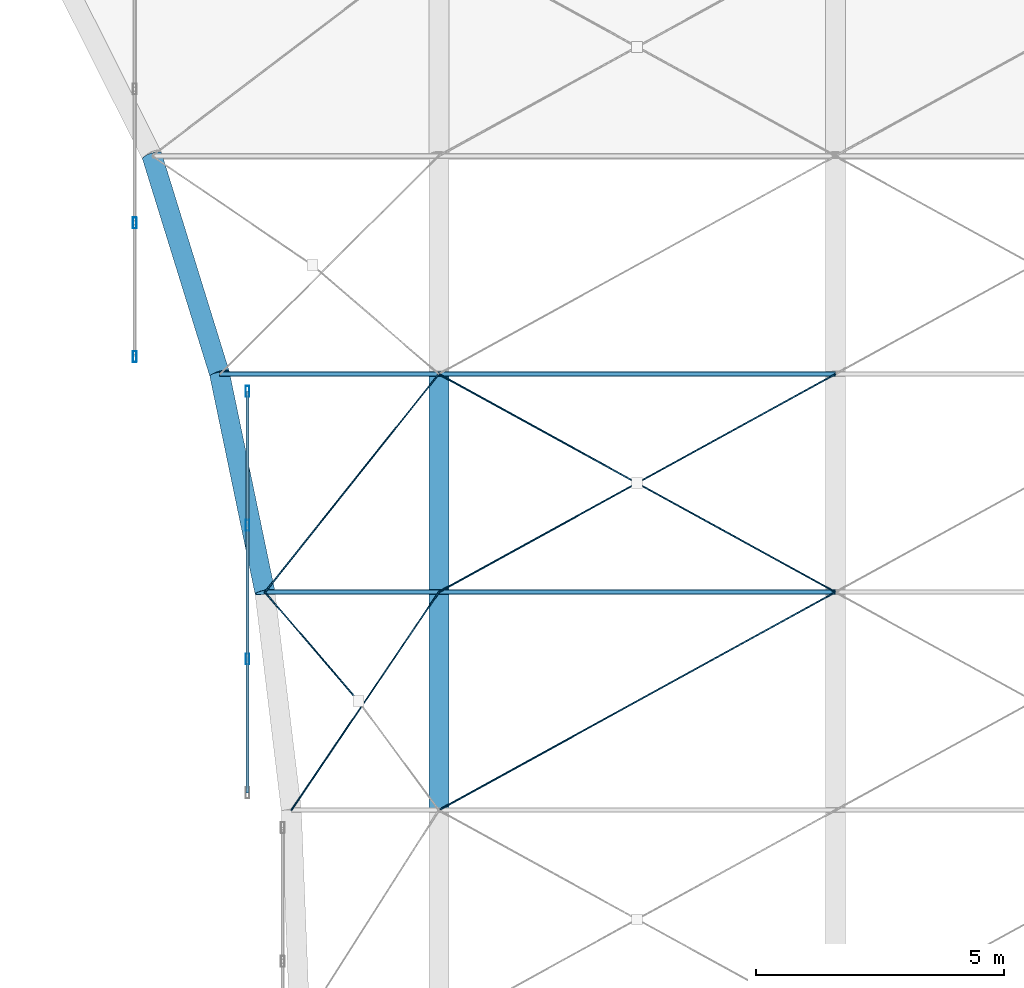
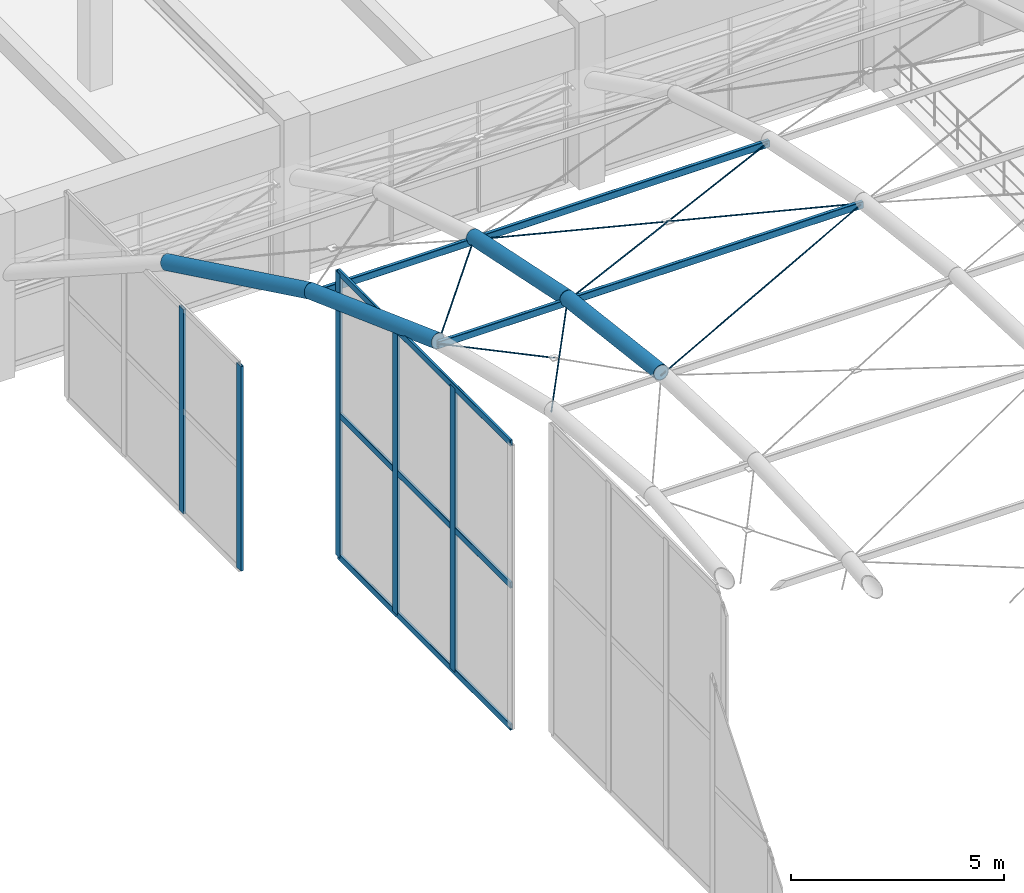
# One storey, part 31 of 144: 15 members, 8 beams, 2 elements without a shape of their own.
"""IFC4 building model written with IfcOpenShell, lengths in metres."""

from ifc_helpers import new_model, si_unit, direction, frame, origin, origin_2d, place, context, subcontext, project, spatial, hollow_rectangle, circle, hollow_circle, extrude, material, material_profile, profile_set, type_object, element, aggregate, save


model = new_model("IFC4")

# Units and contexts
model_context = context("Model", 3, precision=1e-05, world=origin(), true_north=direction((0.0, 1.0)))
body_context = subcontext(model_context, "Body", "Model", "MODEL_VIEW")
ifc_project = project(units=[si_unit("LENGTHUNIT", "METRE"), si_unit("AREAUNIT", "SQUARE_METRE"), si_unit("VOLUMEUNIT", "CUBIC_METRE"), si_unit("PLANEANGLEUNIT", "RADIAN"), si_unit("MASSUNIT", "GRAM", prefix="KILO")], contexts=[model_context])

# Site, building, storey
site_placement = place(None, origin())
site = spatial("IfcSite", under=ifc_project, at=site_placement, CompositionType="ELEMENT")
building_placement = place(site_placement, origin())
building = spatial("IfcBuilding", under=site, at=building_placement, Name="Varnabhumi Central Station", CompositionType="ELEMENT")
storey_placement = place(building_placement, frame((0.0, 0.0, 4.800048828125)))
storey = spatial("IfcBuildingStorey", under=building, at=storey_placement, Name="L01", CompositionType="ELEMENT", Elevation=4.800048828125)

# Beams
ifc_material_1 = material(Name="Structural steel E350", Category="steel")
ifc_material_profile_1 = material_profile(ifc_material_1, hollow_circle(Radius=0.203125, WallThickness=0.01611328125, at=origin_2d()), Name="Structural steel E350", Category="steel")
ifc_profile_set_1 = profile_set([ifc_material_profile_1], Name="Structural steel E350")
beam_type_1 = type_object("IfcBeamType", Name="BM-ARCH-CHS406", PredefinedType="BEAM", material=ifc_profile_set_1)
beam_1_placement = place(storey_placement, frame((4.491455078125, 66.800048828125, 7.291259765625), z_axis=(-0.199321704264, 0.95944865231, -0.199321704264), x_axis=(-0.979095067091, -0.20340317008, 0.0)))
element("IfcBeam", 1, at=beam_1_placement, inside=storey, type_object=beam_type_1, Name="Forecourt Arrival Canopy Vault Arch Rib 1 Seg 8", PredefinedType="BEAM", context=body_context, shape_type="SweptSolid", body=[
    extrude(hollow_circle(Radius=0.203125, WallThickness=0.01611328125, at=origin_2d()), origin(), (0.0, 0.0, 1.0), 4.5859375),
])
beam_2_placement = place(storey_placement, frame((3.577392578125, 71.199951171875, 6.377197265625), z_axis=(-0.283827510575, 0.915921794645, -0.283776690967), x_axis=(-0.95518924728, -0.295995780173, 0.0)))
element("IfcBeam", 2, at=beam_2_placement, inside=storey, type_object=beam_type_1, Name="Forecourt Arrival Canopy Vault Arch Rib 1 Seg 9", PredefinedType="BEAM", context=body_context, shape_type="SweptSolid", body=[
    extrude(hollow_circle(Radius=0.203125, WallThickness=0.01611328125, at=origin_2d()), origin(), (0.0, 0.0, 1.0), 4.803955078125),
])
beam_3_placement = place(storey_placement, frame((8.0, 62.39990234375, 7.824462890625), z_axis=(0.0, 0.992737769305, -0.120298467967), x_axis=(-1.0, 0.0, 0.0)))
element("IfcBeam", 3, at=beam_3_placement, inside=storey, type_object=beam_type_1, Name="Forecourt Arrival Canopy Vault Arch Rib 2 Seg 7", PredefinedType="BEAM", context=body_context, shape_type="SweptSolid", body=[
    extrude(hollow_circle(Radius=0.203125, WallThickness=0.01611328125, at=origin_2d()), origin(), (0.0, 0.0, 1.0), 4.432373046875),
])
beam_4_placement = place(storey_placement, frame((8.0, 66.800048828125, 7.291259765625), z_axis=(0.0, 0.979095067091, -0.20340317008), x_axis=(-1.0, 0.0, 0.0)))
element("IfcBeam", 4, at=beam_4_placement, inside=storey, type_object=beam_type_1, Name="Forecourt Arrival Canopy Vault Arch Rib 2 Seg 8", PredefinedType="BEAM", context=body_context, shape_type="SweptSolid", body=[
    extrude(hollow_circle(Radius=0.203125, WallThickness=0.01611328125, at=origin_2d()), origin(), (0.0, 0.0, 1.0), 4.493896484375),
])
ifc_material_profile_2 = material_profile(ifc_material_1, hollow_rectangle(XDim=0.10009765625, YDim=0.199951171875, WallThickness=0.008056640625, InnerFilletRadius=0.008056640625, OuterFilletRadius=0.01611328125, at=origin_2d()), Name="Structural steel E350", Category="steel")
ifc_profile_set_2 = profile_set([ifc_material_profile_2], Name="Structural steel E350")
beam_type_2 = type_object("IfcBeamType", Name="BM-PUR-RHS200", PredefinedType="JOIST", material=ifc_profile_set_2)
beam_5_placement = place(storey_placement, frame((4.491455078125, 66.800048828125, 7.19140625), z_axis=(1.0, 0.0, 0.0), x_axis=(0.0, 1.0, 0.0)))
element("IfcBeam", 5, at=beam_5_placement, inside=storey, type_object=beam_type_2, Name="Forecourt Arrival Canopy Vault Purlin B1-L7", PredefinedType="JOIST", context=body_context, shape_type="SweptSolid", body=[
    extrude(hollow_rectangle(XDim=0.10009765625, YDim=0.199951171875, WallThickness=0.008056640625, InnerFilletRadius=0.008056640625, OuterFilletRadius=0.01611328125, at=origin_2d()), origin(), (0.0, 0.0, 1.0), 3.508544921875),
])
beam_6_placement = place(storey_placement, frame((3.577392578125, 71.199951171875, 6.27734375), z_axis=(1.0, 0.0, 0.0), x_axis=(0.0, 1.0, 0.0)))
element("IfcBeam", 6, at=beam_6_placement, inside=storey, type_object=beam_type_2, Name="Forecourt Arrival Canopy Vault Purlin B1-L8", PredefinedType="JOIST", context=body_context, shape_type="SweptSolid", body=[
    extrude(hollow_rectangle(XDim=0.10009765625, YDim=0.199951171875, WallThickness=0.008056640625, InnerFilletRadius=0.008056640625, OuterFilletRadius=0.01611328125, at=origin_2d()), origin(), (0.0, 0.0, 1.0), 4.422607421875),
])
for number, where, z_axis, x_axis, name in (
    (7, (8.0, 66.800048828125, 7.19140625), (1.0, 0.0, 0.0), (0.0, 1.0, 0.0), "Forecourt Arrival Canopy Vault Purlin B2-L7"),
    (8, (8.0, 71.199951171875, 6.27734375), (1.0, 0.0, 0.0), (0.0, 1.0, 0.0), "Forecourt Arrival Canopy Vault Purlin B2-L8"),
):
    element("IfcBeam", number, at=place(storey_placement, frame(where, z_axis=z_axis, x_axis=x_axis)), inside=storey, type_object=beam_type_2, Name=name, PredefinedType="JOIST", context=body_context, shape_type="SweptSolid", body=[
        extrude(hollow_rectangle(XDim=0.10009765625, YDim=0.199951171875, WallThickness=0.008056640625, InnerFilletRadius=0.008056640625, OuterFilletRadius=0.01611328125, at=origin_2d()), origin(), (0.0, 0.0, 1.0), 8.0),
    ])

# Curtain wall, members
ifc_material_2 = material(Name="Anodised aluminium 6063-T6", Category="aluminium")
curtain_wall_type = type_object("IfcCurtainWallType", Name="CW-VAULT-ARCH-V1", PredefinedType="NOTDEFINED", material=ifc_material_2)
curtain_wall_1_placement = place(storey_placement, origin())
curtain_wall_1 = element("IfcCurtainWall", 9, at=curtain_wall_1_placement, inside=storey, type_object=curtain_wall_type, Name="Curtain Wall CW-V14", PredefinedType="NOTDEFINED")
ifc_material_profile_3 = material_profile(ifc_material_2, hollow_rectangle(XDim=0.074951171875, YDim=0.219970703125, WallThickness=0.0048828125, InnerFilletRadius=0.0009765625, OuterFilletRadius=0.006103515625, at=origin_2d()), Name="Anodised aluminium 6063-T6", Category="aluminium")
ifc_profile_set_3 = profile_set([ifc_material_profile_3], Name="Anodised aluminium 6063-T6")
member_type_1 = type_object("IfcMemberType", Name="CW-MUL-220", PredefinedType="MULLION", material=ifc_profile_set_3)
member_1_placement = place(storey_placement, frame((4.14111328125, 65.449951171875, -1.199951171875), z_axis=(0.0, 0.0, 1.0), x_axis=(1.0, 0.0, 0.0)))
member_1 = element("IfcMember", 10, at=member_1_placement, type_object=member_type_1, Name="Curtain Wall Mullion CW-V14-M2", PredefinedType="MULLION", context=body_context, shape_type="SweptSolid", body=[
    extrude(hollow_rectangle(XDim=0.074951171875, YDim=0.219970703125, WallThickness=0.0048828125, InnerFilletRadius=0.0009765625, OuterFilletRadius=0.006103515625, at=origin_2d()), origin(), (0.0, 0.0, 1.0), 8.141357421875),
])
member_2_placement = place(storey_placement, frame((4.14111328125, 68.14990234375, -1.199951171875), z_axis=(0.0, 0.0, 1.0), x_axis=(1.0, 0.0, 0.0)))
member_2 = element("IfcMember", 11, at=member_2_placement, type_object=member_type_1, Name="Curtain Wall Mullion CW-V14-M3", PredefinedType="MULLION", context=body_context, shape_type="SweptSolid", body=[
    extrude(hollow_rectangle(XDim=0.074951171875, YDim=0.219970703125, WallThickness=0.0048828125, InnerFilletRadius=0.0009765625, OuterFilletRadius=0.006103515625, at=origin_2d()), origin(), (0.0, 0.0, 1.0), 8.141357421875),
])
member_3_placement = place(storey_placement, frame((4.14111328125, 70.85009765625, -1.199951171875), z_axis=(0.0, 0.0, 1.0), x_axis=(1.0, 0.0, 0.0)))
member_3 = element("IfcMember", 12, at=member_3_placement, type_object=member_type_1, Name="Curtain Wall Mullion CW-V14-M4", PredefinedType="MULLION", context=body_context, shape_type="SweptSolid", body=[
    extrude(hollow_rectangle(XDim=0.074951171875, YDim=0.219970703125, WallThickness=0.0048828125, InnerFilletRadius=0.0009765625, OuterFilletRadius=0.006103515625, at=origin_2d()), origin(), (0.0, 0.0, 1.0), 8.141357421875),
])

curtain_wall_2_placement = place(storey_placement, origin())
curtain_wall_2 = element("IfcCurtainWall", 13, at=curtain_wall_2_placement, inside=storey, type_object=curtain_wall_type, Name="Curtain Wall CW-V15", PredefinedType="NOTDEFINED")
member_4_placement = place(storey_placement, frame((1.864013671875, 71.550048828125, -1.199951171875), z_axis=(0.0, 0.0, 1.0), x_axis=(1.0, 0.0, 0.0)))
member_4 = element("IfcMember", 14, at=member_4_placement, type_object=member_type_1, Name="Curtain Wall Mullion CW-V15-M1", PredefinedType="MULLION", context=body_context, shape_type="SweptSolid", body=[
    extrude(hollow_rectangle(XDim=0.074951171875, YDim=0.219970703125, WallThickness=0.0048828125, InnerFilletRadius=0.0009765625, OuterFilletRadius=0.006103515625, at=origin_2d()), origin(), (0.0, 0.0, 1.0), 5.86376953125),
])
member_5_placement = place(storey_placement, frame((1.864013671875, 74.25, -1.199951171875), z_axis=(0.0, 0.0, 1.0), x_axis=(1.0, 0.0, 0.0)))
member_5 = element("IfcMember", 15, at=member_5_placement, type_object=member_type_1, Name="Curtain Wall Mullion CW-V15-M2", PredefinedType="MULLION", context=body_context, shape_type="SweptSolid", body=[
    extrude(hollow_rectangle(XDim=0.074951171875, YDim=0.219970703125, WallThickness=0.0048828125, InnerFilletRadius=0.0009765625, OuterFilletRadius=0.006103515625, at=origin_2d()), origin(), (0.0, 0.0, 1.0), 5.86376953125),
])
aggregate(curtain_wall_2, [member_4, member_5])

# Member
ifc_material_profile_4 = material_profile(ifc_material_2, hollow_rectangle(XDim=0.06494140625, YDim=0.179931640625, WallThickness=0.00390625, InnerFilletRadius=0.001953125, OuterFilletRadius=0.006103515625, at=origin_2d()), Name="Anodised aluminium 6063-T6", Category="aluminium")
ifc_profile_set_4 = profile_set([ifc_material_profile_4], Name="Anodised aluminium 6063-T6")
member_type_2 = type_object("IfcMemberType", Name="CW-TR-180", PredefinedType="USERDEFINED", material=ifc_profile_set_4)
member_6_placement = place(storey_placement, frame((4.14111328125, 62.75, -1.199951171875), z_axis=(0.0, 1.0, 0.0), x_axis=(-1.0, 0.0, 0.0)))
member_6 = element("IfcMember", 16, at=member_6_placement, type_object=member_type_2, Name="Curtain Wall Transom CW-V14-T1", ObjectType="TRANSOM", PredefinedType="USERDEFINED", context=body_context, shape_type="SweptSolid", body=[
    extrude(hollow_rectangle(XDim=0.06494140625, YDim=0.179931640625, WallThickness=0.00390625, InnerFilletRadius=0.001953125, OuterFilletRadius=0.006103515625, at=origin_2d()), origin(), (0.0, 0.0, 1.0), 8.10009765625),
])

member_7_placement = place(storey_placement, frame((4.14111328125, 62.75, 2.87060546875), z_axis=(0.0, 1.0, 0.0), x_axis=(-1.0, 0.0, 0.0)))
member_7 = element("IfcMember", 17, at=member_7_placement, type_object=member_type_2, Name="Curtain Wall Transom CW-V14-T2", ObjectType="TRANSOM", PredefinedType="USERDEFINED", context=body_context, shape_type="SweptSolid", body=[
    extrude(hollow_rectangle(XDim=0.06494140625, YDim=0.179931640625, WallThickness=0.00390625, InnerFilletRadius=0.001953125, OuterFilletRadius=0.006103515625, at=origin_2d()), origin(), (0.0, 0.0, 1.0), 8.10009765625),
])

member_8_placement = place(storey_placement, frame((4.14111328125, 62.75, 6.94140625), z_axis=(0.0, 1.0, 0.0), x_axis=(-1.0, 0.0, 0.0)))
member_8 = element("IfcMember", 18, at=member_8_placement, type_object=member_type_2, Name="Curtain Wall Transom CW-V14-T3", ObjectType="TRANSOM", PredefinedType="USERDEFINED", context=body_context, shape_type="SweptSolid", body=[
    extrude(hollow_rectangle(XDim=0.06494140625, YDim=0.179931640625, WallThickness=0.00390625, InnerFilletRadius=0.001953125, OuterFilletRadius=0.006103515625, at=origin_2d()), origin(), (0.0, 0.0, 1.0), 8.10009765625),
])

aggregate(curtain_wall_1, [member_1, member_2, member_3, member_6, member_7, member_8])

# Members
ifc_material_3 = material(Name="Spiral-strand steel S1570", Category="steel")
ifc_material_profile_5 = material_profile(ifc_material_3, circle(Radius=0.013916015625, at=origin_2d()), Name="Spiral-strand steel S1570", Category="steel")
ifc_profile_set_5 = profile_set([ifc_material_profile_5], Name="Spiral-strand steel S1570")
member_type_3 = type_object("IfcMemberType", Name="MBR-CABLE-D28", PredefinedType="USERDEFINED", material=ifc_profile_set_5)
member_9_placement = place(storey_placement, frame((5.0244140625, 62.39990234375, 7.744384765625), z_axis=(0.557383731109, 0.824230963717, -0.099833334838), x_axis=(-0.828369353295, 0.56018230472, 0.0)))
element("IfcMember", 19, at=member_9_placement, inside=storey, type_object=member_type_3, Name="Forecourt Arrival Canopy Vault Cable-Net Tie B1-P7A", ObjectType="TENSION CABLE", PredefinedType="USERDEFINED", context=body_context, shape_type="SweptSolid", body=[
    extrude(circle(Radius=0.013916015625, at=origin_2d()), origin(), (0.0, 0.0, 1.0), 5.33837890625),
])
member_10_placement = place(storey_placement, frame((4.491455078125, 66.800048828125, 7.21142578125), z_axis=(0.648413294103, -0.755769265704, 0.09150419142), x_axis=(0.758953309225, 0.651145048676, 0.0)))
element("IfcMember", 20, at=member_10_placement, inside=storey, type_object=member_type_3, Name="Forecourt Arrival Canopy Vault Cable-Net Split Tie B1-P7B1", ObjectType="TENSION CABLE", PredefinedType="USERDEFINED", context=body_context, shape_type="SweptSolid", body=[
    extrude(circle(Radius=0.013916015625, at=origin_2d()), origin(), (0.0, 0.0, 1.0), 2.910888671875),
])
member_11_placement = place(storey_placement, frame((4.491455078125, 66.800048828125, 7.21142578125), z_axis=(0.615396525938, 0.771740045262, -0.160325975444), x_axis=(-0.781854013129, 0.623461548256, 0.0)))
element("IfcMember", 21, at=member_11_placement, inside=storey, type_object=member_type_3, Name="Forecourt Arrival Canopy Vault Cable-Net Tie B1-P8A", ObjectType="TENSION CABLE", PredefinedType="USERDEFINED", context=body_context, shape_type="SweptSolid", body=[
    extrude(circle(Radius=0.013916015625, at=origin_2d()), origin(), (0.0, 0.0, 1.0), 5.701171875),
])
member_12_placement = place(storey_placement, frame((8.0, 62.39990234375, 7.744384765625), z_axis=(0.874720140327, 0.481112093784, -0.0582737447), x_axis=(-0.481931067474, 0.876209133828, 0.0)))
element("IfcMember", 22, at=member_12_placement, inside=storey, type_object=member_type_3, Name="Forecourt Arrival Canopy Vault Cable-Net Tie B2-P7A", ObjectType="TENSION CABLE", PredefinedType="USERDEFINED", context=body_context, shape_type="SweptSolid", body=[
    extrude(circle(Radius=0.013916015625, at=origin_2d()), origin(), (0.0, 0.0, 1.0), 9.145751953125),
])
member_13_placement = place(storey_placement, frame((8.0, 66.800048828125, 7.21142578125), z_axis=(0.871861974597, 0.479513443182, -0.099617042019), x_axis=(-0.481910537812, 0.876220425204, 0.0)))
element("IfcMember", 23, at=member_13_placement, inside=storey, type_object=member_type_3, Name="Forecourt Arrival Canopy Vault Cable-Net Tie B2-P8A", ObjectType="TENSION CABLE", PredefinedType="USERDEFINED", context=body_context, shape_type="SweptSolid", body=[
    extrude(circle(Radius=0.013916015625, at=origin_2d()), origin(), (0.0, 0.0, 1.0), 9.17578125),
])
for number, where, z_axis, x_axis, name in (
    (24, (8.0, 71.199951171875, 6.29736328125), (0.871861974597, -0.479513443182, 0.099617042019), (0.481910537812, 0.876220425204, 0.0), "Forecourt Arrival Canopy Vault Cable-Net Split Tie B2-P8B1"),
    (25, (12.0, 69.0, 6.75439453125), (0.871861974597, -0.479513443182, 0.099617042019), (0.481910537812, 0.876220425204, 0.0), "Forecourt Arrival Canopy Vault Cable-Net Split Tie B2-P8B2"),
):
    element("IfcMember", number, at=place(storey_placement, frame(where, z_axis=z_axis, x_axis=x_axis)), inside=storey, type_object=member_type_3, Name=name, ObjectType="TENSION CABLE", PredefinedType="USERDEFINED", context=body_context, shape_type="SweptSolid", body=[
        extrude(circle(Radius=0.013916015625, at=origin_2d()), origin(), (0.0, 0.0, 1.0), 4.587890625),
    ])

save(model, "model.ifc")
